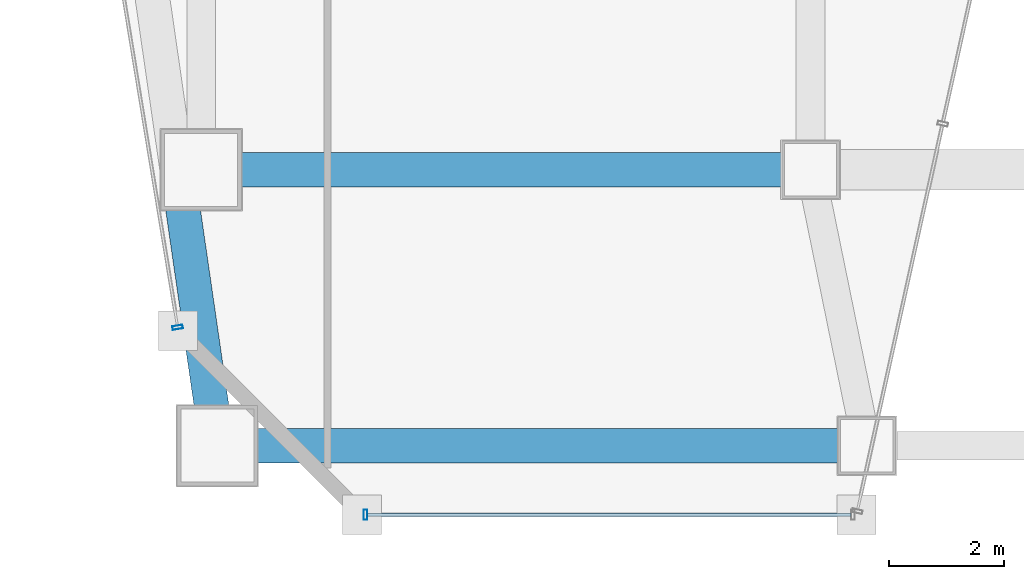
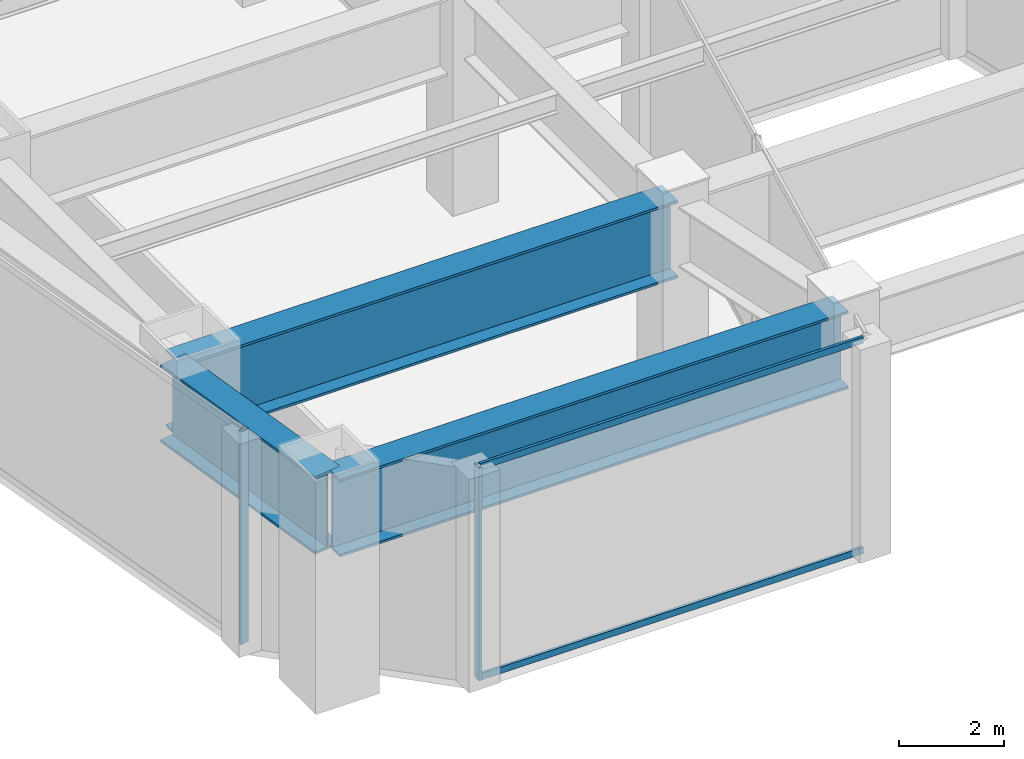
# One storey, part 4 of 42: 4 members, 3 beams, 2 elements without a shape of their own.
"""IFC4 building model written with IfcOpenShell, lengths in metres."""

from ifc_helpers import new_model, si_unit, direction, frame, origin, origin_2d, place, context, subcontext, project, spatial, hollow_rectangle, i_section, extrude, material, material_profile, profile_set, type_object, element, aggregate, save


model = new_model("IFC4")

# Units and contexts
model_context = context("Model", 3, precision=1e-05, world=origin(), true_north=direction((0.0, 1.0)))
body_context = subcontext(model_context, "Body", "Model", "MODEL_VIEW")
ifc_project = project(units=[si_unit("LENGTHUNIT", "METRE"), si_unit("AREAUNIT", "SQUARE_METRE"), si_unit("VOLUMEUNIT", "CUBIC_METRE"), si_unit("PLANEANGLEUNIT", "RADIAN"), si_unit("MASSUNIT", "GRAM", prefix="KILO")], contexts=[model_context])

# Site, building, storey
site_placement = place(None, origin())
site = spatial("IfcSite", under=ifc_project, at=site_placement, CompositionType="ELEMENT")
building_placement = place(site_placement, origin())
building = spatial("IfcBuilding", under=site, at=building_placement, Name="Saevonmaru Cultural Tower", CompositionType="ELEMENT")
storey_placement = place(building_placement, frame((0.0, 0.0, 33.0)))
storey = spatial("IfcBuildingStorey", under=building, at=storey_placement, Name="L06", CompositionType="ELEMENT", Elevation=33.0)

# Beams
ifc_material_1 = material(Name="Steel HSA600 (600 MPa)", Category="steel")
ifc_material_profile_1 = material_profile(ifc_material_1, i_section(OverallWidth=0.60009765625, OverallDepth=1.800048828125, WebThickness=0.028076171875, FlangeThickness=0.054931640625, at=origin_2d()), Name="PG-1800x600x28x55")
ifc_profile_set_1 = profile_set([ifc_material_profile_1], Name="Steel HSA600 (600 MPa)")
beam_type_1 = type_object("IfcBeamType", Name="BM-TG-PG1800", PredefinedType="BEAM", material=ifc_profile_set_1)
beam_1_placement = place(storey_placement, frame((12.5400390625, 3.199951171875, 4.050048828125), z_axis=(1.0, 0.0, 0.0), x_axis=(0.0, 1.0, 0.0)))
element("IfcBeam", 1, at=beam_1_placement, inside=storey, type_object=beam_type_1, Name="BM-POD-EW-W-0-L06", PredefinedType="BEAM", context=body_context, shape_type="SweptSolid", body=[
    extrude(i_section(OverallWidth=0.60009765625, OverallDepth=1.800048828125, WebThickness=0.028076171875, FlangeThickness=0.054931640625, at=origin_2d()), origin(), (0.0, 0.0, 1.0), 11.179931640625),
])
beam_2_placement = place(storey_placement, frame((11.843017578125, 8.0, 4.050048828125), z_axis=(1.0, 0.0, 0.0), x_axis=(0.0, 1.0, 0.0)))
element("IfcBeam", 2, at=beam_2_placement, inside=storey, type_object=beam_type_1, Name="L06 Transfer Plate Girder W-1", PredefinedType="BEAM", context=body_context, shape_type="SweptSolid", body=[
    extrude(i_section(OverallWidth=0.60009765625, OverallDepth=1.800048828125, WebThickness=0.028076171875, FlangeThickness=0.054931640625, at=origin_2d()), origin(), (0.0, 0.0, 1.0), 10.89697265625),
])
ifc_material_profile_2 = material_profile(ifc_material_1, i_section(OverallWidth=0.60009765625, OverallDepth=1.800048828125, WebThickness=0.028076171875, FlangeThickness=0.054931640625, at=origin_2d()), Name="PG-1800x600x28x55")
ifc_profile_set_2 = profile_set([ifc_material_profile_2], Name="Steel HSA600 (600 MPa)")
beam_type_2 = type_object("IfcBeamType", Name="BM-TG-PG1800-EXT", PredefinedType="SPANDREL", material=ifc_profile_set_2)
beam_3_placement = place(storey_placement, frame((12.472900390625, 3.24951171875, 4.050048828125), z_axis=(-0.14370191467, 0.989621018229, 0.0), x_axis=(-0.989621018229, -0.14370191467, 0.0)))
element("IfcBeam", 3, at=beam_3_placement, inside=storey, type_object=beam_type_2, Name="L06 Perimeter Transfer Spandrel W-1", PredefinedType="SPANDREL", context=body_context, shape_type="SweptSolid", body=[
    extrude(i_section(OverallWidth=0.60009765625, OverallDepth=1.800048828125, WebThickness=0.028076171875, FlangeThickness=0.054931640625, at=origin_2d()), origin(), (0.0, 0.0, 1.0), 4.750244140625),
])

# Curtain wall, member
ifc_material_2 = material(Name="Satin Bronze Anodised Aluminium", Category="aluminium")
curtain_wall_type = type_object("IfcCurtainWallType", Name="CW-SKY-GLZ", PredefinedType="NOTDEFINED", material=ifc_material_2)
curtain_wall_1_placement = place(storey_placement, origin())
curtain_wall_1 = element("IfcCurtainWall", 4, at=curtain_wall_1_placement, inside=storey, type_object=curtain_wall_type, Name="L06 Unitised Curtain Wall E2", PredefinedType="NOTDEFINED")
ifc_material_profile_3 = material_profile(ifc_material_2, hollow_rectangle(XDim=0.06494140625, YDim=0.179931640625, WallThickness=0.00390625, at=origin_2d()), Name="ALU-MULL-180x65x4")
ifc_profile_set_3 = profile_set([ifc_material_profile_3], Name="Satin Bronze Anodised Aluminium")
member_type_1 = type_object("IfcMemberType", Name="ML-CW-180x65", PredefinedType="MULLION", material=ifc_profile_set_3)
member_1_placement = place(storey_placement, frame((15.06005859375, 2.0, 0.0), z_axis=(0.0, 0.0, 1.0), x_axis=(1.0, 0.0, 0.0)))
member_1 = element("IfcMember", 5, at=member_1_placement, type_object=member_type_1, Name="CW-TW-L06-E2 mullion 1", PredefinedType="MULLION", context=body_context, shape_type="SweptSolid", body=[
    extrude(hollow_rectangle(XDim=0.06494140625, YDim=0.179931640625, WallThickness=0.00390625, at=origin_2d()), origin(), (0.0, 0.0, 1.0), 4.949951171875),
])

curtain_wall_2_placement = place(storey_placement, origin())
curtain_wall_2 = element("IfcCurtainWall", 6, at=curtain_wall_2_placement, inside=storey, type_object=curtain_wall_type, Name="L06 Unitised Curtain Wall E12", PredefinedType="NOTDEFINED")
member_2_placement = place(storey_placement, frame((11.790283203125, 5.25927734375, 0.0), z_axis=(0.0, 0.0, 1.0), x_axis=(0.161708868641, -0.986838508472, 0.0)))
member_2 = element("IfcMember", 7, at=member_2_placement, type_object=member_type_1, Name="CW-TW-L06-E12 mullion 6", PredefinedType="MULLION", context=body_context, shape_type="SweptSolid", body=[
    extrude(hollow_rectangle(XDim=0.06494140625, YDim=0.179931640625, WallThickness=0.00390625, at=origin_2d()), origin(), (0.0, 0.0, 1.0), 4.949951171875),
])
aggregate(curtain_wall_2, [member_2])

# Member
ifc_material_profile_4 = material_profile(ifc_material_2, hollow_rectangle(XDim=0.06494140625, YDim=0.14990234375, WallThickness=0.00390625, at=origin_2d()), Name="ALU-TRAN-150x65x4")
ifc_profile_set_4 = profile_set([ifc_material_profile_4], Name="Satin Bronze Anodised Aluminium")
member_type_2 = type_object("IfcMemberType", Name="TR-CW-150x65", PredefinedType="USERDEFINED", material=ifc_profile_set_4)
member_3_placement = place(storey_placement, frame((15.092529296875, 2.0, 0.032470703125), z_axis=(1.0, 0.0, 0.0), x_axis=(0.0, 1.0, 0.0)))
member_3 = element("IfcMember", 8, at=member_3_placement, type_object=member_type_2, Name="CW-TW-L06-E2 transom 1.1", ObjectType="TRANSOM", PredefinedType="USERDEFINED", context=body_context, shape_type="SweptSolid", body=[
    extrude(hollow_rectangle(XDim=0.06494140625, YDim=0.14990234375, WallThickness=0.00390625, at=origin_2d()), origin(), (0.0, 0.0, 1.0), 8.4150390625),
])

member_4_placement = place(storey_placement, frame((15.092529296875, 2.0, 4.91748046875), z_axis=(1.0, 0.0, 0.0), x_axis=(0.0, 1.0, 0.0)))
member_4 = element("IfcMember", 9, at=member_4_placement, type_object=member_type_2, Name="CW-TW-L06-E2 transom 1.2", ObjectType="TRANSOM", PredefinedType="USERDEFINED", context=body_context, shape_type="SweptSolid", body=[
    extrude(hollow_rectangle(XDim=0.06494140625, YDim=0.14990234375, WallThickness=0.00390625, at=origin_2d()), origin(), (0.0, 0.0, 1.0), 8.4150390625),
])

aggregate(curtain_wall_1, [member_1, member_3, member_4])

save(model, "model.ifc")
